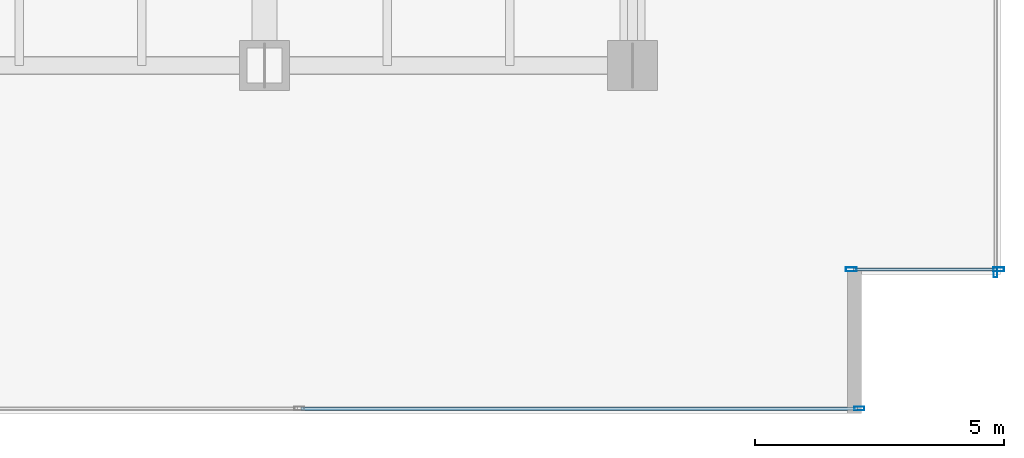
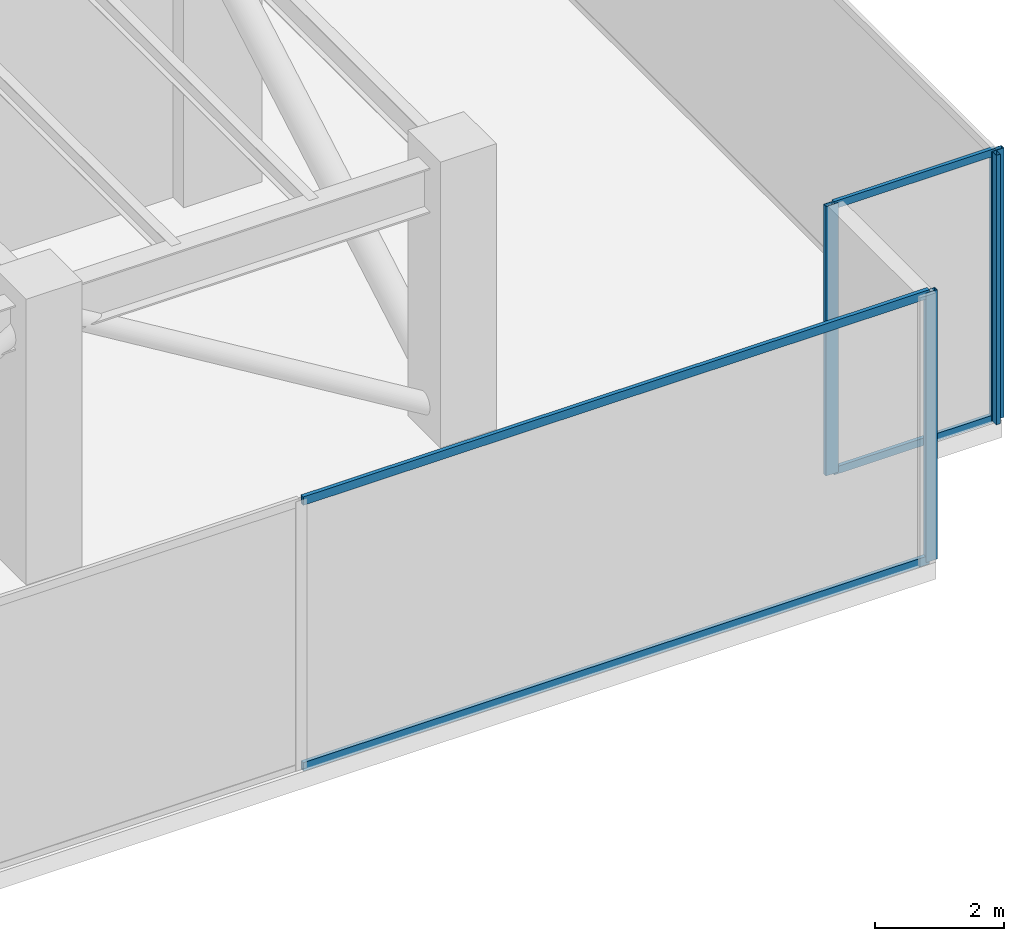
# One storey, part 23 of 38: 8 members, 3 elements without a shape of their own.
"""IFC4 building model written with IfcOpenShell, lengths in metres."""

from ifc_helpers import new_model, si_unit, direction, frame, origin, origin_2d, place, context, subcontext, project, spatial, hollow_rectangle, extrude, source, transform, mapped, material, layer, layer_set, material_profile, profile_set, type_object, type_shapes, element, aggregate, save


model = new_model("IFC4")

# Units and contexts
model_context = context("Model", 3, precision=1e-05, world=origin(), true_north=direction((0.0, 1.0)))
body_context = subcontext(model_context, "Body", "Model", "MODEL_VIEW")
ifc_project = project(units=[si_unit("LENGTHUNIT", "METRE"), si_unit("AREAUNIT", "SQUARE_METRE"), si_unit("VOLUMEUNIT", "CUBIC_METRE"), si_unit("PLANEANGLEUNIT", "RADIAN"), si_unit("MASSUNIT", "GRAM", prefix="KILO")], contexts=[model_context])

# Site, building, storey
site_placement = place(None, origin())
site = spatial("IfcSite", under=ifc_project, at=site_placement, CompositionType="ELEMENT")
building_placement = place(site_placement, origin())
building = spatial("IfcBuilding", under=site, at=building_placement, Name="Haelvirn Gate Laboratories", CompositionType="ELEMENT")
storey_placement = place(building_placement, frame((0.0, 0.0, 94.89990234375)))
storey = spatial("IfcBuildingStorey", under=building, at=storey_placement, Name="L23", CompositionType="ELEMENT", Elevation=94.89990234375)

# Curtain wall, members
ifc_material_1 = material(Name="Anodised bronze unitised aluminium & triple low-E glass", Category="aluminium")
ifc_layer_1 = layer(ifc_material_1, 0.18408203125, Name="CW-SYS-2")
ifc_layer_set_1 = layer_set([ifc_layer_1], Name="Anodised bronze unitised aluminium & triple low-E glass")
curtain_wall_type_1 = type_object("IfcCurtainWallType", Name="CW-SYS-2", PredefinedType="NOTDEFINED", material=ifc_layer_set_1)
curtain_wall_1_placement = place(storey_placement, origin())
curtain_wall_1 = element("IfcCurtainWall", 1, at=curtain_wall_1_placement, inside=storey, type_object=curtain_wall_type_1, Name="L23 Unitised Curtain Wall CW-L23-P0-E04-1", PredefinedType="NOTDEFINED")
ifc_material_2 = material(Name="Extruded aluminium 6063-T6 (anodised bronze)", Category="aluminium")
ifc_material_profile_1 = material_profile(ifc_material_2, hollow_rectangle(XDim=0.070068359375, YDim=0.159912109375, WallThickness=0.0048828125, at=origin_2d()), Name="CWT-160x70x5")
ifc_profile_set_1 = profile_set([ifc_material_profile_1], Name="Extruded aluminium 6063-T6 (anodised bronze)")
member_type_1 = type_object("IfcMemberType", Name="CWT-T160", PredefinedType="USERDEFINED", material=ifc_profile_set_1)
shared_shape_1 = source(origin(), body_context, "Body", "SweptSolid", [
    extrude(hollow_rectangle(XDim=0.070068359375, YDim=0.159912109375, WallThickness=0.0048828125, at=origin_2d()), origin(), (0.0, 0.0, 1.0), 11.1875),
])
type_shapes(member_type_1, [shared_shape_1])
member_1_placement = place(storey_placement, frame((60.737548828125, 0.10009765625, 0.03515625), z_axis=(1.0, 0.0, 0.0), x_axis=(0.0, 1.0, 0.0)))
member_1 = element("IfcMember", 2, at=member_1_placement, type_object=member_type_1, Name="CW2 transom 2.1", ObjectType="TRANSOM", PredefinedType="USERDEFINED", context=body_context, shape_type="MappedRepresentation", body=[
    mapped(shared_shape_1, transform((0.0, 0.0, 0.0), scale=1.0)),
])
member_2_placement = place(storey_placement, frame((60.737548828125, 0.10009765625, 5.05517578125), z_axis=(1.0, 0.0, 0.0), x_axis=(0.0, 1.0, 0.0)))
member_2 = element("IfcMember", 3, at=member_2_placement, type_object=member_type_1, Name="CW2 transom 2.2", ObjectType="TRANSOM", PredefinedType="USERDEFINED", context=body_context, shape_type="MappedRepresentation", body=[
    mapped(shared_shape_1, transform((0.0, 0.0, 0.0), scale=1.0)),
])

ifc_layer_2 = layer(ifc_material_1, 0.181884765625, Name="CW-SYS-5")
ifc_layer_set_2 = layer_set([ifc_layer_2], Name="Anodised bronze unitised aluminium & triple low-E glass")
curtain_wall_type_2 = type_object("IfcCurtainWallType", Name="CW-SYS-5", PredefinedType="NOTDEFINED", material=ifc_layer_set_2)
curtain_wall_2_placement = place(storey_placement, origin())
curtain_wall_2 = element("IfcCurtainWall", 4, at=curtain_wall_2_placement, inside=storey, type_object=curtain_wall_type_2, Name="L23 Unitised Curtain Wall CW-L23-P0-E06-1", PredefinedType="NOTDEFINED")
ifc_material_profile_2 = material_profile(ifc_material_2, hollow_rectangle(XDim=0.06494140625, YDim=0.139892578125, WallThickness=0.00390625, at=origin_2d()), Name="CWT-140x65x4")
ifc_profile_set_2 = profile_set([ifc_material_profile_2], Name="Extruded aluminium 6063-T6 (anodised bronze)")
member_type_2 = type_object("IfcMemberType", Name="CWT-T140", PredefinedType="USERDEFINED", material=ifc_profile_set_2)
shared_shape_2 = source(origin(), body_context, "Body", "SweptSolid", [
    extrude(hollow_rectangle(XDim=0.06494140625, YDim=0.139892578125, WallThickness=0.00390625, at=origin_2d()), origin(), (0.0, 0.0, 1.0), 2.8798828125),
])
type_shapes(member_type_2, [shared_shape_2])
member_3_placement = place(storey_placement, frame((71.840087890625, 2.89990234375, 0.03271484375), z_axis=(1.0, 0.0, 0.0), x_axis=(0.0, 1.0, 0.0)))
member_3 = element("IfcMember", 5, at=member_3_placement, type_object=member_type_2, Name="CW5 transom 1.1", ObjectType="TRANSOM", PredefinedType="USERDEFINED", context=body_context, shape_type="MappedRepresentation", body=[
    mapped(shared_shape_2, transform((0.0, 0.0, 0.0), scale=1.0)),
])
member_4_placement = place(storey_placement, frame((71.840087890625, 2.89990234375, 5.0576171875), z_axis=(1.0, 0.0, 0.0), x_axis=(0.0, 1.0, 0.0)))
member_4 = element("IfcMember", 6, at=member_4_placement, type_object=member_type_2, Name="CW5 transom 1.2", ObjectType="TRANSOM", PredefinedType="USERDEFINED", context=body_context, shape_type="MappedRepresentation", body=[
    mapped(shared_shape_2, transform((0.0, 0.0, 0.0), scale=1.0)),
])

# Member
ifc_material_profile_3 = material_profile(ifc_material_2, hollow_rectangle(XDim=0.074951171875, YDim=0.199951171875, WallThickness=0.0048828125, at=origin_2d()), Name="CWM-200x75x5")
ifc_profile_set_3 = profile_set([ifc_material_profile_3], Name="Extruded aluminium 6063-T6 (anodised bronze)")
member_type_3 = type_object("IfcMemberType", Name="CWM-T200", PredefinedType="MULLION", material=ifc_profile_set_3)
shared_shape_3 = source(origin(), body_context, "Body", "SweptSolid", [
    extrude(hollow_rectangle(XDim=0.074951171875, YDim=0.199951171875, WallThickness=0.0048828125, at=origin_2d()), origin(), (0.0, 0.0, 1.0), 5.090087890625),
])
type_shapes(member_type_3, [shared_shape_3])
member_5_placement = place(storey_placement, frame((71.96240234375, 0.10009765625, 0.0), z_axis=(0.0, 0.0, 1.0), x_axis=(0.0, 1.0, 0.0)))
member_5 = element("IfcMember", 7, at=member_5_placement, type_object=member_type_3, Name="CW2 mullion 3", PredefinedType="MULLION", context=body_context, shape_type="MappedRepresentation", body=[
    mapped(shared_shape_3, transform((0.0, 0.0, 0.0), scale=1.0)),
])

aggregate(curtain_wall_1, [member_5, member_1, member_2])

# Curtain wall, member
curtain_wall_3_placement = place(storey_placement, origin())
curtain_wall_3 = element("IfcCurtainWall", 8, at=curtain_wall_3_placement, inside=storey, type_object=curtain_wall_type_1, Name="L23 Unitised Curtain Wall CW-L23-P0-E07", PredefinedType="NOTDEFINED")
member_6_placement = place(storey_placement, frame((74.699951171875, 2.83740234375, 0.0), z_axis=(0.0, 0.0, 1.0), x_axis=(-1.0, 0.0, 0.0)))
member_6 = element("IfcMember", 9, at=member_6_placement, type_object=member_type_3, Name="CW2 mullion 1", PredefinedType="MULLION", context=body_context, shape_type="MappedRepresentation", body=[
    mapped(shared_shape_3, transform((0.0, 0.0, 0.0), scale=1.0)),
])
aggregate(curtain_wall_3, [member_6])

# Member
ifc_material_profile_4 = material_profile(ifc_material_2, hollow_rectangle(XDim=0.080078125, YDim=0.219970703125, WallThickness=0.006103515625, at=origin_2d()), Name="CWM-220x80x6")
ifc_profile_set_4 = profile_set([ifc_material_profile_4], Name="Extruded aluminium 6063-T6 (anodised bronze)")
member_type_4 = type_object("IfcMemberType", Name="CWM-T220", PredefinedType="MULLION", material=ifc_profile_set_4)
shared_shape_4 = source(origin(), body_context, "Body", "SweptSolid", [
    extrude(hollow_rectangle(XDim=0.080078125, YDim=0.219970703125, WallThickness=0.006103515625, at=origin_2d()), origin(), (0.0, 0.0, 1.0), 5.090087890625),
])
type_shapes(member_type_4, [shared_shape_4])
member_7_placement = place(storey_placement, frame((71.800048828125, 2.89990234375, 0.0), z_axis=(0.0, 0.0, 1.0), x_axis=(0.0, 1.0, 0.0)))
member_7 = element("IfcMember", 10, at=member_7_placement, type_object=member_type_4, Name="CW5 mullion 1", PredefinedType="MULLION", context=body_context, shape_type="MappedRepresentation", body=[
    mapped(shared_shape_4, transform((0.0, 0.0, 0.0), scale=1.0)),
])

member_8_placement = place(storey_placement, frame((74.760009765625, 2.89990234375, 0.0), z_axis=(0.0, 0.0, 1.0), x_axis=(0.0, 1.0, 0.0)))
member_8 = element("IfcMember", 11, at=member_8_placement, type_object=member_type_4, Name="CW5 mullion 2", PredefinedType="MULLION", context=body_context, shape_type="MappedRepresentation", body=[
    mapped(shared_shape_4, transform((0.0, 0.0, 0.0), scale=1.0)),
])

aggregate(curtain_wall_2, [member_7, member_8, member_3, member_4])

save(model, "model.ifc")
